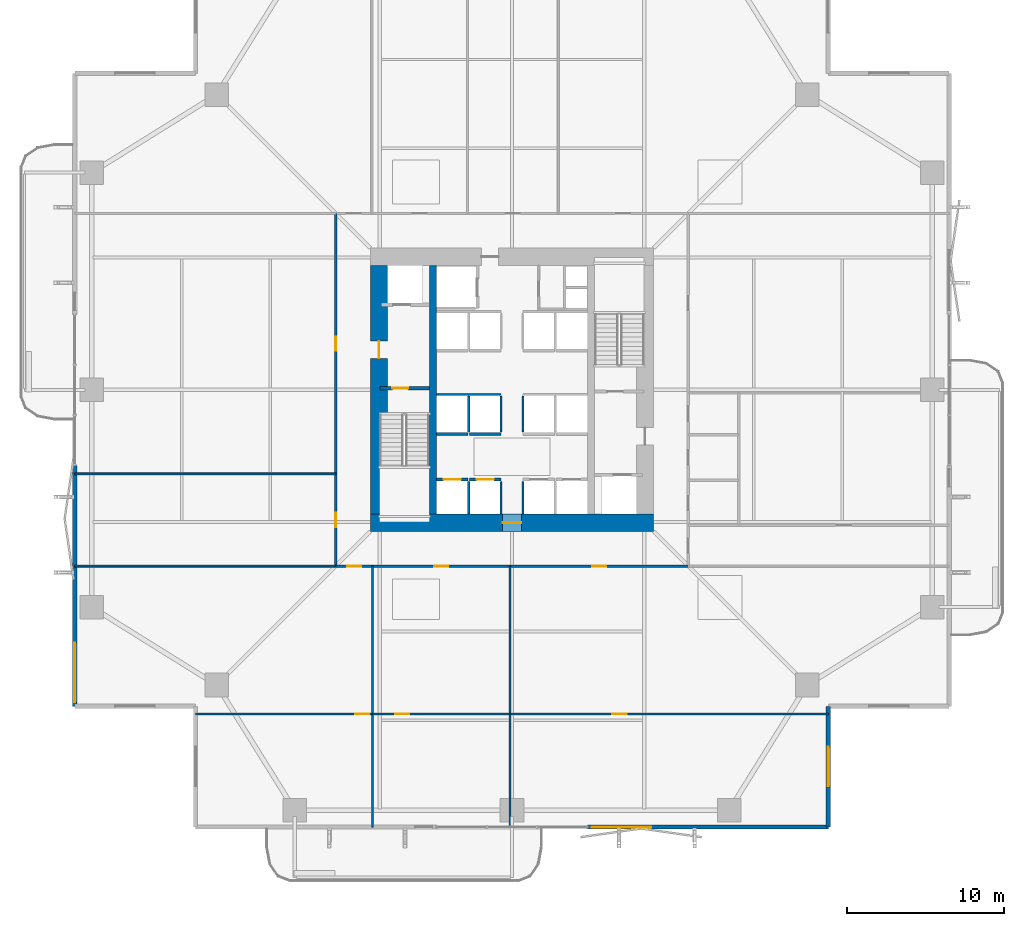
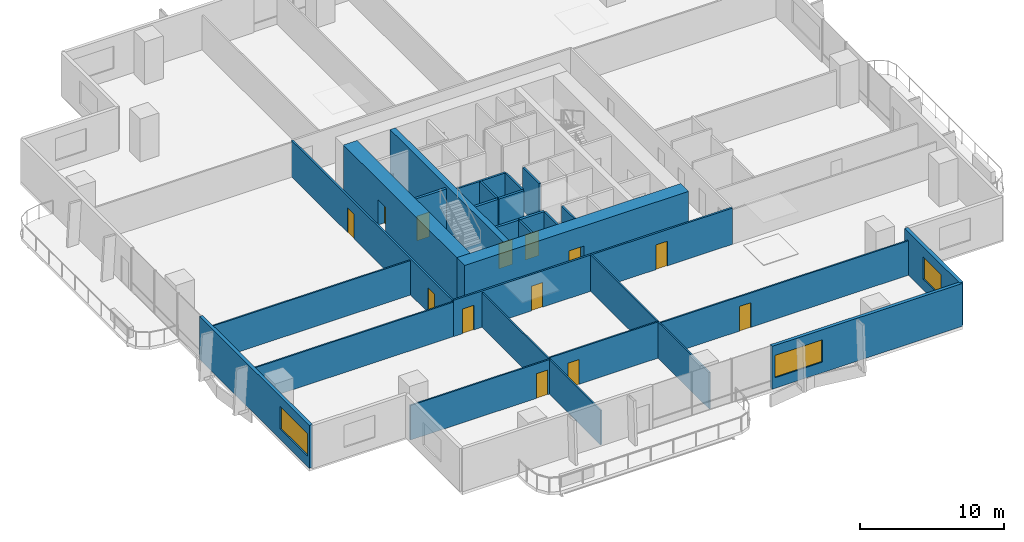
# One storey, part 17 of 23: 27 walls, 13 doors, 3 windows, 16 openings.
"""IFC4 building model written with IfcOpenShell, lengths in metres."""

from ifc_helpers import new_model, si_unit, direction, frame, frame_2d, origin, place, context, subcontext, project, spatial, rectangle, extrude, material, layer, layer_set, type_object, element, fill, save


model = new_model("IFC4")

# Units and contexts
model_context = context("Model", 3, precision=1e-05, world=origin(), true_north=direction((0.0, 1.0)))
body_context = subcontext(model_context, "Body", "Model", "MODEL_VIEW")
ifc_project = project(units=[si_unit("LENGTHUNIT", "METRE"), si_unit("AREAUNIT", "SQUARE_METRE"), si_unit("VOLUMEUNIT", "CUBIC_METRE"), si_unit("PLANEANGLEUNIT", "RADIAN"), si_unit("MASSUNIT", "GRAM", prefix="KILO")], contexts=[model_context])

# Site, building, storey
site_placement = place(None, origin())
site = spatial("IfcSite", under=ifc_project, at=site_placement, CompositionType="ELEMENT")
building_placement = place(site_placement, origin())
building = spatial("IfcBuilding", under=site, at=building_placement, Name="Belovzor Exchange Tower", CompositionType="ELEMENT")
storey_placement = place(building_placement, frame((0.0, 0.0, 88.5)))
storey = spatial("IfcBuildingStorey", under=building, at=storey_placement, Name="L21", CompositionType="ELEMENT", Elevation=88.5)

# Wall, opening, door
ifc_material_1 = material(Name="Acoustic Plasterboard on Galvanised Studs", Category="gypsum")
ifc_layer_1 = layer(ifc_material_1, 0.1201171875)
ifc_layer_set_1 = layer_set([ifc_layer_1], Name="Acoustic Plasterboard on Galvanised Studs")
wall_type_1 = type_object("IfcWallType", Name="Acoustic Double-Stud Partition Wall 120", PredefinedType="PARTITIONING", material=ifc_layer_set_1)
wall_1_placement = place(storey_placement, frame((8.699951171875, 8.2119140625, 0.0), z_axis=(0.0, 0.0, 1.0), x_axis=(1.0, 0.0, 0.0)))
wall_1 = element("IfcWall", 1, at=wall_1_placement, inside=storey, type_object=wall_type_1, Name="W-P120 Partition Wall W-L21-SHDIV-0", PredefinedType="PARTITIONING", context=body_context, shape_type="SweptSolid", body=[
    extrude(rectangle(XDim=11.239013671875, YDim=0.1201171875, at=frame_2d((5.61962890625, 0.0))), origin(), (0.0, 0.0, 1.0), 2.93505859375),
])
opening_1_placement = place(wall_1_placement, frame((10.138916015625, 0.0, 0.0)))
opening_1 = element("IfcOpeningElement", 2, at=opening_1_placement, cuts=wall_1, Name="Opening D-INT-090", PredefinedType="OPENING", context=body_context, shape_type="SweptSolid", body=[
    extrude(rectangle(XDim=0.89990234375, YDim=2.10009765625, at=frame_2d((0.449951171875, 1.050048828125))), frame((0.0, 0.070068359375, 0.0), z_axis=(0.0, -1.0, 0.0), x_axis=(1.0, 0.0, 0.0)), (0.0, 0.0, 1.0), 0.14013671875),
])
ifc_material_2 = material(Name="Veneered Hardwood Acoustic Leaf", Category="wood")
door_type_1 = type_object("IfcDoorType", Name="Trading Suite Acoustic Single Door 900x2100", OperationType="NOTDEFINED", PredefinedType="DOOR", material=ifc_material_2)
door_1_placement = place(opening_1_placement, origin())
door_1 = element("IfcDoor", 3, at=door_1_placement, inside=storey, type_object=door_type_1, Name="D-INT-090 Trading Suite Acoustic Single Door 900x2100", OperationType="SINGLE_SWING_LEFT", OverallHeight=2.10009765625, OverallWidth=0.89990234375, PredefinedType="DOOR", context=body_context, shape_type="SweptSolid", body=[
    extrude(rectangle(XDim=0.89990234375, YDim=2.10009765625, at=frame_2d((0.449951171875, 1.050048828125))), frame((0.0, 0.02490234375, 0.0), z_axis=(0.0, -1.0, 0.0), x_axis=(1.0, 0.0, 0.0)), (0.0, 0.0, 1.0), 0.050048828125),
])
fill(opening_1, door_1)

# Wall
wall_2_placement = place(storey_placement, frame((19.93896484375, 1.030029296875, 0.0), z_axis=(0.0, 0.0, 1.0), x_axis=(0.0, 1.0, 0.0)))
element("IfcWall", 4, at=wall_2_placement, inside=storey, type_object=wall_type_1, Name="W-P120 Partition Wall W-L21-SDIV-1", PredefinedType="PARTITIONING", context=body_context, shape_type="SweptSolid", body=[
    extrude(rectangle(XDim=16.570068359375, YDim=0.1201171875, at=frame_2d((8.28515625, 0.0))), origin(), (0.0, 0.0, 1.0), 2.93505859375),
])

# Wall, opening, door
wall_3_placement = place(storey_placement, frame((19.93896484375, 8.2119140625, 0.0), z_axis=(0.0, 0.0, 1.0), x_axis=(1.0, 0.0, 0.0)))
wall_3 = element("IfcWall", 5, at=wall_3_placement, inside=storey, type_object=wall_type_1, Name="W-P120 Partition Wall W-L21-SHDIV-1", PredefinedType="PARTITIONING", context=body_context, shape_type="SweptSolid", body=[
    extrude(rectangle(XDim=8.73095703125, YDim=0.1201171875, at=frame_2d((4.365478515625, 0.0))), origin(), (0.0, 0.0, 1.0), 3.0849609375),
])
opening_2_placement = place(wall_3_placement, frame((1.43896484375, 0.0, 0.0)))
opening_2 = element("IfcOpeningElement", 6, at=opening_2_placement, cuts=wall_3, Name="Opening D-INT-090", PredefinedType="OPENING", context=body_context, shape_type="SweptSolid", body=[
    extrude(rectangle(XDim=0.89990234375, YDim=2.10009765625, at=frame_2d((0.449951171875, 1.050048828125))), frame((0.0, 0.070068359375, 0.0), z_axis=(0.0, -1.0, 0.0), x_axis=(1.0, 0.0, 0.0)), (0.0, 0.0, 1.0), 0.14013671875),
])
door_2_placement = place(opening_2_placement, origin())
door_2 = element("IfcDoor", 7, at=door_2_placement, inside=storey, type_object=door_type_1, Name="D-INT-090 Trading Suite Acoustic Single Door 900x2100", OperationType="SINGLE_SWING_LEFT", OverallHeight=2.10009765625, OverallWidth=0.89990234375, PredefinedType="DOOR", context=body_context, shape_type="SweptSolid", body=[
    extrude(rectangle(XDim=0.89990234375, YDim=2.10009765625, at=frame_2d((0.449951171875, 1.050048828125))), frame((0.0, 0.02490234375, 0.0), z_axis=(0.0, -1.0, 0.0), x_axis=(1.0, 0.0, 0.0)), (0.0, 0.0, 1.0), 0.050048828125),
])
fill(opening_2, door_2)

# Wall
wall_4_placement = place(storey_placement, frame((28.669921875, 1.030029296875, 0.0), z_axis=(0.0, 0.0, 1.0), x_axis=(0.0, 1.0, 0.0)))
element("IfcWall", 8, at=wall_4_placement, inside=storey, type_object=wall_type_1, Name="W-P120 Partition Wall W-L21-SDIV-2", PredefinedType="PARTITIONING", context=body_context, shape_type="SweptSolid", body=[
    extrude(rectangle(XDim=16.570068359375, YDim=0.1201171875, at=frame_2d((8.28515625, 0.0))), origin(), (0.0, 0.0, 1.0), 3.0849609375),
])

# Wall, opening, door
wall_5_placement = place(storey_placement, frame((28.669921875, 8.2119140625, 0.0), z_axis=(0.0, 0.0, 1.0), x_axis=(1.0, 0.0, 0.0)))
wall_5 = element("IfcWall", 9, at=wall_5_placement, inside=storey, type_object=wall_type_1, Name="W-P120 Partition Wall W-L21-SHDIV-2", PredefinedType="PARTITIONING", context=body_context, shape_type="SweptSolid", body=[
    extrude(rectangle(XDim=20.22998046875, YDim=0.1201171875, at=frame_2d((10.114990234375, 0.0))), origin(), (0.0, 0.0, 1.0), 2.93505859375),
])
opening_3_placement = place(wall_5_placement, frame((6.510009765625, 0.0, 0.0)))
opening_3 = element("IfcOpeningElement", 10, at=opening_3_placement, cuts=wall_5, Name="Opening D-INT-090", PredefinedType="OPENING", context=body_context, shape_type="SweptSolid", body=[
    extrude(rectangle(XDim=0.89990234375, YDim=2.10009765625, at=frame_2d((0.449951171875, 1.050048828125))), frame((0.0, 0.070068359375, 0.0), z_axis=(0.0, -1.0, 0.0), x_axis=(1.0, 0.0, 0.0)), (0.0, 0.0, 1.0), 0.14013671875),
])
door_3_placement = place(opening_3_placement, origin())
door_3 = element("IfcDoor", 11, at=door_3_placement, inside=storey, type_object=door_type_1, Name="D-INT-090 Trading Suite Acoustic Single Door 900x2100", OperationType="SINGLE_SWING_LEFT", OverallHeight=2.10009765625, OverallWidth=0.89990234375, PredefinedType="DOOR", context=body_context, shape_type="SweptSolid", body=[
    extrude(rectangle(XDim=0.89990234375, YDim=2.10009765625, at=frame_2d((0.449951171875, 1.050048828125))), frame((0.0, 0.02490234375, 0.0), z_axis=(0.0, -1.0, 0.0), x_axis=(1.0, 0.0, 0.0)), (0.0, 0.0, 1.0), 0.050048828125),
])
fill(opening_3, door_3)

# Walls
for number, where, z_axis, x_axis, name in (
    (12, (1.030029296875, 17.60009765625, 0.0), (0.0, 0.0, 1.0), (1.0, 0.0, 0.0), "W-P120 Partition Wall W-L21-END-SW"),
    (13, (1.030029296875, 23.4599609375, 0.0), (0.0, 0.0, 1.0), (1.0, 0.0, 0.0), "W-P120 Partition Wall W-L21-WDIV-1"),
):
    element("IfcWall", number, at=place(storey_placement, frame(where, z_axis=z_axis, x_axis=x_axis)), inside=storey, type_object=wall_type_1, Name=name, PredefinedType="PARTITIONING", context=body_context, shape_type="SweptSolid", body=[
        extrude(rectangle(XDim=16.570068359375, YDim=0.1201171875, at=frame_2d((8.28515625, 0.0))), origin(), (0.0, 0.0, 1.0), 2.93505859375),
    ])

# Wall, openings, doors
ifc_material_3 = material(Name="Fire-Rated Gypsum Block and Mineral Wool", Category="gypsum")
ifc_layer_2 = layer(ifc_material_3, 0.14990234375)
ifc_layer_set_2 = layer_set([ifc_layer_2], Name="Fire-Rated Gypsum Block and Mineral Wool")
wall_type_2 = type_object("IfcWallType", Name="Fire-Rated Gypsum Block Corridor Wall 150", PredefinedType="PARTITIONING", material=ifc_layer_set_2)
wall_6_placement = place(storey_placement, frame((17.60009765625, 17.60009765625, 0.0), z_axis=(0.0, 0.0, 1.0), x_axis=(1.0, 0.0, 0.0)))
wall_6 = element("IfcWall", 14, at=wall_6_placement, inside=storey, type_object=wall_type_2, Name="W-P150 Partition Wall W-L21-CS", PredefinedType="PARTITIONING", context=body_context, shape_type="SweptSolid", body=[
    extrude(rectangle(XDim=22.39990234375, YDim=0.14990234375, at=frame_2d((11.199951171875, 0.0))), origin(), (0.0, 0.0, 1.0), 3.0849609375),
])
opening_4_placement = place(wall_6_placement, frame((0.719970703125, 0.0, 0.0)))
opening_4 = element("IfcOpeningElement", 15, at=opening_4_placement, cuts=wall_6, Name="Opening D-INT-090", PredefinedType="OPENING", context=body_context, shape_type="SweptSolid", body=[
    extrude(rectangle(XDim=0.89990234375, YDim=2.10009765625, at=frame_2d((0.449951171875, 1.050048828125))), frame((0.0, 0.0849609375, 0.0), z_axis=(0.0, -1.0, 0.0), x_axis=(1.0, 0.0, 0.0)), (0.0, 0.0, 1.0), 0.169921875),
])
opening_5_placement = place(wall_6_placement, frame((6.2548828125, 0.0, 0.0)))
opening_5 = element("IfcOpeningElement", 16, at=opening_5_placement, cuts=wall_6, Name="Opening D-INT-090", PredefinedType="OPENING", context=body_context, shape_type="SweptSolid", body=[
    extrude(rectangle(XDim=0.89990234375, YDim=2.10009765625, at=frame_2d((0.449951171875, 1.050048828125))), frame((0.0, 0.0849609375, 0.0), z_axis=(0.0, -1.0, 0.0), x_axis=(1.0, 0.0, 0.0)), (0.0, 0.0, 1.0), 0.169921875),
])
opening_6_placement = place(wall_6_placement, frame((16.284912109375, 0.0, 0.0)))
opening_6 = element("IfcOpeningElement", 17, at=opening_6_placement, cuts=wall_6, Name="Opening D-INT-090", PredefinedType="OPENING", context=body_context, shape_type="SweptSolid", body=[
    extrude(rectangle(XDim=0.89990234375, YDim=2.10009765625, at=frame_2d((0.449951171875, 1.050048828125))), frame((0.0, 0.0849609375, 0.0), z_axis=(0.0, -1.0, 0.0), x_axis=(1.0, 0.0, 0.0)), (0.0, 0.0, 1.0), 0.169921875),
])
door_4_placement = place(opening_4_placement, origin())
door_4 = element("IfcDoor", 18, at=door_4_placement, inside=storey, type_object=door_type_1, Name="D-INT-090 Trading Suite Acoustic Single Door 900x2100", OperationType="SINGLE_SWING_RIGHT", OverallHeight=2.10009765625, OverallWidth=0.89990234375, PredefinedType="DOOR", context=body_context, shape_type="SweptSolid", body=[
    extrude(rectangle(XDim=0.89990234375, YDim=2.10009765625, at=frame_2d((0.449951171875, 1.050048828125))), frame((0.0, 0.02490234375, 0.0), z_axis=(0.0, -1.0, 0.0), x_axis=(1.0, 0.0, 0.0)), (0.0, 0.0, 1.0), 0.050048828125),
])
fill(opening_4, door_4)
door_5_placement = place(opening_5_placement, origin())
door_5 = element("IfcDoor", 19, at=door_5_placement, inside=storey, type_object=door_type_1, Name="D-INT-090 Trading Suite Acoustic Single Door 900x2100", OperationType="SINGLE_SWING_LEFT", OverallHeight=2.10009765625, OverallWidth=0.89990234375, PredefinedType="DOOR", context=body_context, shape_type="SweptSolid", body=[
    extrude(rectangle(XDim=0.89990234375, YDim=2.10009765625, at=frame_2d((0.449951171875, 1.050048828125))), frame((0.0, 0.02490234375, 0.0), z_axis=(0.0, -1.0, 0.0), x_axis=(1.0, 0.0, 0.0)), (0.0, 0.0, 1.0), 0.050048828125),
])
fill(opening_5, door_5)
door_6_placement = place(opening_6_placement, origin())
door_6 = element("IfcDoor", 20, at=door_6_placement, inside=storey, type_object=door_type_1, Name="D-INT-090 Trading Suite Acoustic Single Door 900x2100", OperationType="SINGLE_SWING_RIGHT", OverallHeight=2.10009765625, OverallWidth=0.89990234375, PredefinedType="DOOR", context=body_context, shape_type="SweptSolid", body=[
    extrude(rectangle(XDim=0.89990234375, YDim=2.10009765625, at=frame_2d((0.449951171875, 1.050048828125))), frame((0.0, 0.02490234375, 0.0), z_axis=(0.0, -1.0, 0.0), x_axis=(1.0, 0.0, 0.0)), (0.0, 0.0, 1.0), 0.050048828125),
])
fill(opening_6, door_6)

wall_7_placement = place(storey_placement, frame((17.60009765625, 17.60009765625, 0.0), z_axis=(0.0, 0.0, 1.0), x_axis=(0.0, 1.0, 0.0)))
wall_7 = element("IfcWall", 21, at=wall_7_placement, inside=storey, type_object=wall_type_2, Name="W-P150 Partition Wall W-L21-CW", PredefinedType="PARTITIONING", context=body_context, shape_type="SweptSolid", body=[
    extrude(rectangle(XDim=22.39990234375, YDim=0.14990234375, at=frame_2d((11.199951171875, 0.0))), origin(), (0.0, 0.0, 1.0), 3.0849609375),
])
opening_7_placement = place(wall_7_placement, frame((2.47998046875, 0.0, 0.0)))
opening_7 = element("IfcOpeningElement", 22, at=opening_7_placement, cuts=wall_7, Name="Opening D-INT-090", PredefinedType="OPENING", context=body_context, shape_type="SweptSolid", body=[
    extrude(rectangle(XDim=0.89990234375, YDim=2.10009765625, at=frame_2d((0.449951171875, 1.050048828125))), frame((0.0, 0.0849609375, 0.0), z_axis=(0.0, -1.0, 0.0), x_axis=(1.0, 0.0, 0.0)), (0.0, 0.0, 1.0), 0.169921875),
])
opening_8_placement = place(wall_7_placement, frame((13.679931640625, 0.0, 0.0)))
opening_8 = element("IfcOpeningElement", 23, at=opening_8_placement, cuts=wall_7, Name="Opening D-INT-090", PredefinedType="OPENING", context=body_context, shape_type="SweptSolid", body=[
    extrude(rectangle(XDim=0.89990234375, YDim=2.10009765625, at=frame_2d((0.449951171875, 1.050048828125))), frame((0.0, 0.0849609375, 0.0), z_axis=(0.0, -1.0, 0.0), x_axis=(1.0, 0.0, 0.0)), (0.0, 0.0, 1.0), 0.169921875),
])
door_7_placement = place(opening_7_placement, origin())
door_7 = element("IfcDoor", 24, at=door_7_placement, inside=storey, type_object=door_type_1, Name="D-INT-090 Trading Suite Acoustic Single Door 900x2100", OperationType="SINGLE_SWING_RIGHT", OverallHeight=2.10009765625, OverallWidth=0.89990234375, PredefinedType="DOOR", context=body_context, shape_type="SweptSolid", body=[
    extrude(rectangle(XDim=0.89990234375, YDim=2.10009765625, at=frame_2d((0.449951171875, 1.050048828125))), frame((0.0, 0.02490234375, 0.0), z_axis=(0.0, -1.0, 0.0), x_axis=(1.0, 0.0, 0.0)), (0.0, 0.0, 1.0), 0.050048828125),
])
fill(opening_7, door_7)
door_8_placement = place(opening_8_placement, origin())
door_8 = element("IfcDoor", 25, at=door_8_placement, inside=storey, type_object=door_type_1, Name="D-INT-090 Trading Suite Acoustic Single Door 900x2100", OperationType="SINGLE_SWING_LEFT", OverallHeight=2.10009765625, OverallWidth=0.89990234375, PredefinedType="DOOR", context=body_context, shape_type="SweptSolid", body=[
    extrude(rectangle(XDim=0.89990234375, YDim=2.10009765625, at=frame_2d((0.449951171875, 1.050048828125))), frame((0.0, 0.02490234375, 0.0), z_axis=(0.0, -1.0, 0.0), x_axis=(1.0, 0.0, 0.0)), (0.0, 0.0, 1.0), 0.050048828125),
])
fill(opening_8, door_8)

# Wall, opening, window
ifc_material_4 = material(Name="Precast concrete C40/50", Category="concrete")
ifc_layer_3 = layer(ifc_material_4, 0.280029296875)
ifc_layer_set_3 = layer_set([ifc_layer_3], Name="Precast concrete C40/50")
wall_type_3 = type_object("IfcWallType", Name="Precast Concrete Notched Corner Frame Wall 280", PredefinedType="SOLIDWALL", material=ifc_layer_set_3)
wall_8_placement = place(storey_placement, frame((48.89990234375, 8.699951171875, 0.0), z_axis=(0.0, 0.0, 1.0), x_axis=(0.0, -1.0, 0.0)))
wall_8 = element("IfcWall", 26, at=wall_8_placement, inside=storey, type_object=wall_type_3, Name="W-CRN280 Precast Concrete Notched Corner Frame Wall 280 L21", PredefinedType="SOLIDWALL", context=body_context, shape_type="SweptSolid", body=[
    extrude(rectangle(XDim=7.669921875, YDim=0.280029296875, at=frame_2d((3.8349609375, 0.0))), origin(), (0.0, 0.0, 1.0), 3.64990234375),
])
opening_9_placement = place(wall_8_placement, frame((2.5849609375, 0.0, 0.89990234375)))
opening_9 = element("IfcOpeningElement", 27, at=opening_9_placement, cuts=wall_8, Name="Opening WN-CRN250", PredefinedType="OPENING", context=body_context, shape_type="SweptSolid", body=[
    extrude(rectangle(XDim=2.5, YDim=1.89990234375, at=frame_2d((1.25, 0.949951171875))), frame((0.0, 0.14990234375, 0.0), z_axis=(0.0, -1.0, 0.0), x_axis=(1.0, 0.0, 0.0)), (0.0, 0.0, 1.0), 0.300048828125),
])
ifc_material_5 = material(Name="Thermally Broken Aluminium and Triple Glazing", Category="aluminium")
window_type_1 = type_object("IfcWindowType", Name="Streamline Moderne Corner Wrap Ribbon Window 2500x1900", PartitioningType="SINGLE_PANEL", PredefinedType="WINDOW", material=ifc_material_5)
window_1_placement = place(opening_9_placement, origin())
window_1 = element("IfcWindow", 28, at=window_1_placement, inside=storey, type_object=window_type_1, Name="WN-CRN250 Streamline Moderne Corner Wrap Ribbon Window 2500x1900", OverallHeight=1.89990234375, OverallWidth=2.5, PartitioningType="SINGLE_PANEL", PredefinedType="WINDOW", context=body_context, shape_type="SweptSolid", body=[
    extrude(rectangle(XDim=2.5, YDim=1.89990234375, at=frame_2d((1.25, 0.949951171875))), frame((0.0, 0.030029296875, 0.0), z_axis=(0.0, -1.0, 0.0), x_axis=(1.0, 0.0, 0.0)), (0.0, 0.0, 1.0), 0.06005859375),
])
fill(opening_9, window_1)

ifc_material_6 = material(Name="Precast concrete C40/50", Category="concrete")
ifc_layer_4 = layer(ifc_material_6, 0.260009765625)
ifc_layer_set_4 = layer_set([ifc_layer_4], Name="Precast concrete C40/50")
wall_type_4 = type_object("IfcWallType", Name="Precast Concrete Perimeter Loggia Frame Wall 260", PredefinedType="SOLIDWALL", material=ifc_layer_set_4)
wall_9_placement = place(storey_placement, frame((48.89990234375, 1.030029296875, 0.0), z_axis=(0.0, 0.0, 1.0), x_axis=(-1.0, 0.0, 0.0)))
wall_9 = element("IfcWall", 29, at=wall_9_placement, inside=storey, type_object=wall_type_4, Name="W-EXT260 Precast Concrete Perimeter Loggia Frame Wall 260 L21", PredefinedType="SOLIDWALL", context=body_context, shape_type="SweptSolid", body=[
    extrude(rectangle(XDim=15.2998046875, YDim=0.260009765625, at=frame_2d((7.64990234375, 0.0))), origin(), (0.0, 0.0, 1.0), 3.64990234375),
])
opening_10_placement = place(wall_9_placement, frame((11.25, 0.0, 0.89990234375)))
opening_10 = element("IfcOpeningElement", 30, at=opening_10_placement, cuts=wall_9, Name="Opening WN-RIB380", PredefinedType="OPENING", context=body_context, shape_type="SweptSolid", body=[
    extrude(rectangle(XDim=3.800048828125, YDim=1.89990234375, at=frame_2d((1.89990234375, 0.949951171875))), frame((0.0, 0.139892578125, 0.0), z_axis=(0.0, -1.0, 0.0), x_axis=(1.0, 0.0, 0.0)), (0.0, 0.0, 1.0), 0.280029296875),
])
ifc_material_7 = material(Name="Thermally Broken Aluminium and Triple Glazing", Category="aluminium")
window_type_2 = type_object("IfcWindowType", Name="Streamline Moderne Horizontal Ribbon Window 3800x1900", PartitioningType="SINGLE_PANEL", PredefinedType="WINDOW", material=ifc_material_7)
window_2_placement = place(opening_10_placement, origin())
window_2 = element("IfcWindow", 31, at=window_2_placement, inside=storey, type_object=window_type_2, Name="WN-RIB380 Streamline Moderne Horizontal Ribbon Window 3800x1900", OverallHeight=1.89990234375, OverallWidth=3.800048828125, PartitioningType="SINGLE_PANEL", PredefinedType="WINDOW", context=body_context, shape_type="SweptSolid", body=[
    extrude(rectangle(XDim=3.800048828125, YDim=1.89990234375, at=frame_2d((1.89990234375, 0.949951171875))), frame((0.0, 0.030029296875, 0.0), z_axis=(0.0, -1.0, 0.0), x_axis=(1.0, 0.0, 0.0)), (0.0, 0.0, 1.0), 0.06005859375),
])
fill(opening_10, window_2)

wall_10_placement = place(storey_placement, frame((1.030029296875, 8.699951171875, 0.0), z_axis=(0.0, 0.0, 1.0), x_axis=(0.0, 1.0, 0.0)))
wall_10 = element("IfcWall", 32, at=wall_10_placement, inside=storey, type_object=wall_type_4, Name="W-EXT260 Precast Concrete Perimeter Loggia Frame Wall 260 L21", PredefinedType="SOLIDWALL", context=body_context, shape_type="SweptSolid", body=[
    extrude(rectangle(XDim=15.300048828125, YDim=0.260009765625, at=frame_2d((7.64990234375, 0.0))), origin(), (0.0, 0.0, 1.0), 3.64990234375),
])
opening_11_placement = place(wall_10_placement, frame((0.25, 0.0, 0.89990234375)))
opening_11 = element("IfcOpeningElement", 33, at=opening_11_placement, cuts=wall_10, Name="Opening WN-RIB380", PredefinedType="OPENING", context=body_context, shape_type="SweptSolid", body=[
    extrude(rectangle(XDim=3.800048828125, YDim=1.89990234375, at=frame_2d((1.89990234375, 0.949951171875))), frame((0.0, 0.139892578125, 0.0), z_axis=(0.0, -1.0, 0.0), x_axis=(1.0, 0.0, 0.0)), (0.0, 0.0, 1.0), 0.280029296875),
])
window_3_placement = place(opening_11_placement, origin())
window_3 = element("IfcWindow", 34, at=window_3_placement, inside=storey, type_object=window_type_2, Name="WN-RIB380 Streamline Moderne Horizontal Ribbon Window 3800x1900", OverallHeight=1.89990234375, OverallWidth=3.800048828125, PartitioningType="SINGLE_PANEL", PredefinedType="WINDOW", context=body_context, shape_type="SweptSolid", body=[
    extrude(rectangle(XDim=3.800048828125, YDim=1.89990234375, at=frame_2d((1.89990234375, 0.949951171875))), frame((0.0, 0.030029296875, 0.0), z_axis=(0.0, -1.0, 0.0), x_axis=(1.0, 0.0, 0.0)), (0.0, 0.0, 1.0), 0.06005859375),
])
fill(opening_11, window_3)

# Walls
ifc_material_8 = material(Name="Concrete C50/60", Category="concrete")
ifc_layer_5 = layer(ifc_material_8, 0.449951171875)
ifc_layer_set_5 = layer_set([ifc_layer_5], Name="Concrete C50/60")
wall_type_5 = type_object("IfcWallType", Name="Reinforced Concrete Core Internal Web Wall 450", PredefinedType="SHEAR", material=ifc_layer_set_5)
wall_11_placement = place(storey_placement, frame((23.77490234375, 20.89990234375, 0.0), z_axis=(0.0, 0.0, 1.0), x_axis=(0.0, 1.0, 0.0)))
element("IfcWall", 35, at=wall_11_placement, inside=storey, type_object=wall_type_5, Name="CW-W045 Core Internal Web Wall L21 WL", PredefinedType="SHEAR", context=body_context, shape_type="SweptSolid", body=[
    extrude(rectangle(XDim=15.800048828125, YDim=0.449951171875, at=frame_2d((7.89990234375, 0.0))), origin(), (0.0, 0.0, 1.0), 3.89990234375),
])
ifc_material_9 = material(Name="Concrete C50/60", Category="concrete")
ifc_layer_6 = layer(ifc_material_9, 0.14990234375)
ifc_layer_set_6 = layer_set([ifc_layer_6], Name="Concrete C50/60")
wall_type_6 = type_object("IfcWallType", Name="Reinforced Concrete Core Riser Shear Wall 150", PredefinedType="SHEAR", material=ifc_layer_set_6)
for number, where, z_axis, x_axis, name in (
    (36, (26.050048828125, 20.919921875, 0.0), (0.0, 0.0, 1.0), (0.0, 1.0, 0.0), "W-C150S Core Shaft Wall W-SHD-L21-PLL-1"),
    (37, (28.10009765625, 20.919921875, 0.0), (0.0, 0.0, 1.0), (0.0, 1.0, 0.0), "W-C150S Core Shaft Wall W-SHD-L21-PLL-2"),
    (38, (29.5, 20.919921875, 0.0), (0.0, 0.0, 1.0), (0.0, 1.0, 0.0), "W-C150S Core Shaft Wall W-SHD-L21-PLL-3"),
):
    element("IfcWall", number, at=place(storey_placement, frame(where, z_axis=z_axis, x_axis=x_axis)), inside=storey, type_object=wall_type_6, Name=name, PredefinedType="SHEAR", context=body_context, shape_type="SweptSolid", body=[
        extrude(rectangle(XDim=2.06005859375, YDim=0.14990234375, at=frame_2d((1.030029296875, 0.0))), origin(), (0.0, 0.0, 1.0), 3.64990234375),
    ])
wall_12_placement = place(storey_placement, frame((24.02001953125, 28.5, 0.0), z_axis=(0.0, 0.0, 1.0), x_axis=(1.0, 0.0, 0.0)))
element("IfcWall", 39, at=wall_12_placement, inside=storey, type_object=wall_type_6, Name="W-C150S Core Shaft Wall W-SHB-L21-PLM-NW", PredefinedType="SHEAR", context=body_context, shape_type="SweptSolid", body=[
    extrude(rectangle(XDim=4.080078125, YDim=0.14990234375, at=frame_2d((2.0400390625, 0.0))), origin(), (0.0, 0.0, 1.0), 3.64990234375),
])
for number, where, z_axis, x_axis, name in (
    (40, (26.050048828125, 26.1201171875, 0.0), (0.0, 0.0, 1.0), (0.0, 1.0, 0.0), "W-C150S Core Shaft Wall W-SHD-L21-PLM-1"),
    (41, (28.10009765625, 26.1201171875, 0.0), (0.0, 0.0, 1.0), (0.0, 1.0, 0.0), "W-C150S Core Shaft Wall W-SHD-L21-PLM-2"),
    (42, (29.5, 26.1201171875, 0.0), (0.0, 0.0, 1.0), (0.0, 1.0, 0.0), "W-C150S Core Shaft Wall W-SHD-L21-PLM-3"),
):
    element("IfcWall", number, at=place(storey_placement, frame(where, z_axis=z_axis, x_axis=x_axis)), inside=storey, type_object=wall_type_6, Name=name, PredefinedType="SHEAR", context=body_context, shape_type="SweptSolid", body=[
        extrude(rectangle(XDim=2.27978515625, YDim=0.14990234375, at=frame_2d((1.139892578125, 0.0))), origin(), (0.0, 0.0, 1.0), 3.64990234375),
    ])

# Wall, opening, door
ifc_material_10 = material(Name="Concrete C50/60", Category="concrete")
ifc_layer_7 = layer(ifc_material_10, 0.199951171875)
ifc_layer_set_7 = layer_set([ifc_layer_7], Name="Concrete C50/60")
wall_type_7 = type_object("IfcWallType", Name="Reinforced Concrete Core Shaft Shear Wall 200", PredefinedType="SHEAR", material=ifc_layer_set_7)
wall_13_placement = place(storey_placement, frame((20.39990234375, 28.89990234375, 0.0), z_axis=(0.0, 0.0, 1.0), x_axis=(1.0, 0.0, 0.0)))
wall_13 = element("IfcWall", 43, at=wall_13_placement, inside=storey, type_object=wall_type_7, Name="W-C200S Core Shaft Wall W-CORE-L21-FFLW1", PredefinedType="SHEAR", context=body_context, shape_type="SweptSolid", body=[
    extrude(rectangle(XDim=3.150146484375, YDim=0.199951171875, at=frame_2d((1.5751953125, 0.0))), origin(), (0.0, 0.0, 1.0), 3.64990234375),
])
opening_12_placement = place(wall_13_placement, frame((0.800048828125, 0.0, 0.0)))
opening_12 = element("IfcOpeningElement", 44, at=opening_12_placement, cuts=wall_13, Name="Opening D-FD90-100", PredefinedType="OPENING", context=body_context, shape_type="SweptSolid", body=[
    extrude(rectangle(XDim=1.0, YDim=2.10009765625, at=frame_2d((0.5, 1.050048828125))), frame((0.0, 0.10986328125, 0.0), z_axis=(0.0, -1.0, 0.0), x_axis=(1.0, 0.0, 0.0)), (0.0, 0.0, 1.0), 0.219970703125),
])
ifc_material_11 = material(Name="Fire-Rated Galvanised Steel Leaf", Category="steel")
door_type_2 = type_object("IfcDoorType", Name="Protected Stairwell Single Fire Door 1000x2100", OperationType="NOTDEFINED", PredefinedType="DOOR", material=ifc_material_11)
door_9_placement = place(opening_12_placement, origin())
door_9 = element("IfcDoor", 45, at=door_9_placement, inside=storey, type_object=door_type_2, Name="D-FD90-100 Protected Stairwell Single Fire Door 1000x2100", OperationType="SINGLE_SWING_RIGHT", OverallHeight=2.10009765625, OverallWidth=1.0, PredefinedType="DOOR", context=body_context, shape_type="SweptSolid", body=[
    extrude(rectangle(XDim=1.0, YDim=2.10009765625, at=frame_2d((0.5, 1.050048828125))), frame((0.0, 0.02490234375, 0.0), z_axis=(0.0, -1.0, 0.0), x_axis=(1.0, 0.0, 0.0)), (0.0, 0.0, 1.0), 0.050048828125),
])
fill(opening_12, door_9)

wall_14_placement = place(storey_placement, frame((24.0, 23.10009765625, 0.0), z_axis=(0.0, 0.0, 1.0), x_axis=(1.0, 0.0, 0.0)))
wall_14 = element("IfcWall", 46, at=wall_14_placement, inside=storey, type_object=wall_type_7, Name="W-C200S Core Shaft Wall W-SH-L21-PL-L1", PredefinedType="SHEAR", context=body_context, shape_type="SweptSolid", body=[
    extrude(rectangle(XDim=2.0, YDim=0.199951171875, at=frame_2d((1.0, 0.0))), origin(), (0.0, 0.0, 1.0), 3.64990234375),
])
opening_13_placement = place(wall_14_placement, frame((0.449951171875, 0.0, 0.0)))
opening_13 = element("IfcOpeningElement", 47, at=opening_13_placement, cuts=wall_14, Name="Opening LD-110", PredefinedType="OPENING", context=body_context, shape_type="SweptSolid", body=[
    extrude(rectangle(XDim=1.10009765625, YDim=2.14990234375, at=frame_2d((0.550048828125, 1.074951171875))), frame((0.0, 0.10986328125, 0.0), z_axis=(0.0, -1.0, 0.0), x_axis=(1.0, 0.0, 0.0)), (0.0, 0.0, 1.0), 0.219970703125),
])
ifc_material_12 = material(Name="Stainless Steel Grade 304", Category="steel")
door_type_3 = type_object("IfcDoorType", Name="Automated Stainless Steel Lift Landing Door 1100x2150", OperationType="SLIDING_TO_RIGHT", PredefinedType="DOOR", material=ifc_material_12)
door_10_placement = place(opening_13_placement, origin())
door_10 = element("IfcDoor", 48, at=door_10_placement, inside=storey, type_object=door_type_3, Name="LD-110 Automated Stainless Steel Lift Landing Door 1100x2150", OperationType="SLIDING_TO_RIGHT", OverallHeight=2.14990234375, OverallWidth=1.10009765625, PredefinedType="DOOR", context=body_context, shape_type="SweptSolid", body=[
    extrude(rectangle(XDim=1.10009765625, YDim=2.14990234375, at=frame_2d((0.550048828125, 1.074951171875))), frame((0.0, 0.02490234375, 0.0), z_axis=(0.0, -1.0, 0.0), x_axis=(1.0, 0.0, 0.0)), (0.0, 0.0, 1.0), 0.050048828125),
])
fill(opening_13, door_10)

wall_15_placement = place(storey_placement, frame((26.10009765625, 23.10009765625, 0.0), z_axis=(0.0, 0.0, 1.0), x_axis=(1.0, 0.0, 0.0)))
wall_15 = element("IfcWall", 49, at=wall_15_placement, inside=storey, type_object=wall_type_7, Name="W-C200S Core Shaft Wall W-SH-L21-PL-L2", PredefinedType="SHEAR", context=body_context, shape_type="SweptSolid", body=[
    extrude(rectangle(XDim=2.0, YDim=0.199951171875, at=frame_2d((1.0, 0.0))), origin(), (0.0, 0.0, 1.0), 3.64990234375),
])
opening_14_placement = place(wall_15_placement, frame((0.449951171875, 0.0, 0.0)))
opening_14 = element("IfcOpeningElement", 50, at=opening_14_placement, cuts=wall_15, Name="Opening LD-110", PredefinedType="OPENING", context=body_context, shape_type="SweptSolid", body=[
    extrude(rectangle(XDim=1.10009765625, YDim=2.14990234375, at=frame_2d((0.550048828125, 1.074951171875))), frame((0.0, 0.10986328125, 0.0), z_axis=(0.0, -1.0, 0.0), x_axis=(1.0, 0.0, 0.0)), (0.0, 0.0, 1.0), 0.219970703125),
])
door_11_placement = place(opening_14_placement, origin())
door_11 = element("IfcDoor", 51, at=door_11_placement, inside=storey, type_object=door_type_3, Name="LD-110 Automated Stainless Steel Lift Landing Door 1100x2150", OperationType="SLIDING_TO_RIGHT", OverallHeight=2.14990234375, OverallWidth=1.10009765625, PredefinedType="DOOR", context=body_context, shape_type="SweptSolid", body=[
    extrude(rectangle(XDim=1.10009765625, YDim=2.14990234375, at=frame_2d((0.550048828125, 1.074951171875))), frame((0.0, 0.02490234375, 0.0), z_axis=(0.0, -1.0, 0.0), x_axis=(1.0, 0.0, 0.0)), (0.0, 0.0, 1.0), 0.050048828125),
])
fill(opening_14, door_11)

# Walls
for number, where, z_axis, x_axis, name in (
    (52, (24.0, 26.0, 0.0), (0.0, 0.0, 1.0), (1.0, 0.0, 0.0), "W-C200S Core Shaft Wall W-SH-L21-PL-M1"),
    (53, (26.10009765625, 26.0, 0.0), (0.0, 0.0, 1.0), (1.0, 0.0, 0.0), "W-C200S Core Shaft Wall W-SH-L21-PL-M2"),
):
    element("IfcWall", number, at=place(storey_placement, frame(where, z_axis=z_axis, x_axis=x_axis)), inside=storey, type_object=wall_type_7, Name=name, PredefinedType="SHEAR", context=body_context, shape_type="SweptSolid", body=[
        extrude(rectangle(XDim=2.0, YDim=0.199951171875, at=frame_2d((1.0, 0.0))), origin(), (0.0, 0.0, 1.0), 3.64990234375),
    ])

# Wall, opening, door
ifc_material_13 = material(Name="Concrete C60/75", Category="concrete")
ifc_layer_8 = layer(ifc_material_13, 1.10009765625)
ifc_layer_set_8 = layer_set([ifc_layer_8], Name="Concrete C60/75")
wall_type_8 = type_object("IfcWallType", Name="Reinforced Concrete Core Shear Wall 1100", PredefinedType="SHEAR", material=ifc_layer_set_8)
wall_16_placement = place(storey_placement, frame((19.800048828125, 20.35009765625, 0.0), z_axis=(0.0, 0.0, 1.0), x_axis=(1.0, 0.0, 0.0)))
wall_16 = element("IfcWall", 54, at=wall_16_placement, inside=storey, type_object=wall_type_8, Name="CW-S110 Core Shear Wall L21 S", PredefinedType="SHEAR", context=body_context, shape_type="SweptSolid", body=[
    extrude(rectangle(XDim=18.0, YDim=1.10009765625, at=frame_2d((9.0, 0.0))), origin(), (0.0, 0.0, 1.0), 3.89990234375),
])
opening_15_placement = place(wall_16_placement, frame((8.39990234375, 0.0, 0.0)))
opening_15 = element("IfcOpeningElement", 55, at=opening_15_placement, cuts=wall_16, Name="Opening D-FD90-120", PredefinedType="OPENING", context=body_context, shape_type="SweptSolid", body=[
    extrude(rectangle(XDim=1.199951171875, YDim=2.199951171875, at=frame_2d((0.60009765625, 1.10009765625))), frame((0.0, 0.56005859375, 0.0), z_axis=(0.0, -1.0, 0.0), x_axis=(1.0, 0.0, 0.0)), (0.0, 0.0, 1.0), 1.1201171875),
])
ifc_material_14 = material(Name="Fire-Rated Galvanised Steel Leaf", Category="steel")
door_type_4 = type_object("IfcDoorType", Name="Heavy Plant & Foyer Fire Door 1200x2200", OperationType="NOTDEFINED", PredefinedType="DOOR", material=ifc_material_14)
door_12_placement = place(opening_15_placement, origin())
door_12 = element("IfcDoor", 56, at=door_12_placement, inside=storey, type_object=door_type_4, Name="D-FD90-120 Heavy Plant & Foyer Fire Door 1200x2200", OperationType="SINGLE_SWING_LEFT", OverallHeight=2.199951171875, OverallWidth=1.199951171875, PredefinedType="DOOR", context=body_context, shape_type="SweptSolid", body=[
    extrude(rectangle(XDim=1.199951171875, YDim=2.199951171875, at=frame_2d((0.60009765625, 1.10009765625))), frame((0.0, 0.02490234375, 0.0), z_axis=(0.0, -1.0, 0.0), x_axis=(1.0, 0.0, 0.0)), (0.0, 0.0, 1.0), 0.050048828125),
])
fill(opening_15, door_12)

wall_17_placement = place(storey_placement, frame((20.35009765625, 20.89990234375, 0.0), z_axis=(0.0, 0.0, 1.0), x_axis=(0.0, 1.0, 0.0)))
wall_17 = element("IfcWall", 57, at=wall_17_placement, inside=storey, type_object=wall_type_8, Name="CW-S110 Core Shear Wall L21 W", PredefinedType="SHEAR", context=body_context, shape_type="SweptSolid", body=[
    extrude(rectangle(XDim=15.800048828125, YDim=1.10009765625, at=frame_2d((7.89990234375, 0.0))), origin(), (0.0, 0.0, 1.0), 3.89990234375),
])
opening_16_placement = place(wall_17_placement, frame((9.89990234375, 0.0, 0.0)))
opening_16 = element("IfcOpeningElement", 58, at=opening_16_placement, cuts=wall_17, Name="Opening D-FD90-110", PredefinedType="OPENING", context=body_context, shape_type="SweptSolid", body=[
    extrude(rectangle(XDim=1.10009765625, YDim=2.14990234375, at=frame_2d((0.550048828125, 1.074951171875))), frame((0.0, 0.56005859375, 0.0), z_axis=(0.0, -1.0, 0.0), x_axis=(1.0, 0.0, 0.0)), (0.0, 0.0, 1.0), 1.1201171875),
])
ifc_material_15 = material(Name="Fire-Rated Galvanised Steel Leaf", Category="steel")
door_type_5 = type_object("IfcDoorType", Name="Protected Escape Vestibule Fire Door 1100x2150", OperationType="NOTDEFINED", PredefinedType="DOOR", material=ifc_material_15)
door_13_placement = place(opening_16_placement, origin())
door_13 = element("IfcDoor", 59, at=door_13_placement, inside=storey, type_object=door_type_5, Name="D-FD90-110 Protected Escape Vestibule Fire Door 1100x2150", OperationType="SINGLE_SWING_LEFT", OverallHeight=2.14990234375, OverallWidth=1.10009765625, PredefinedType="DOOR", context=body_context, shape_type="SweptSolid", body=[
    extrude(rectangle(XDim=1.10009765625, YDim=2.14990234375, at=frame_2d((0.550048828125, 1.074951171875))), frame((0.0, 0.02490234375, 0.0), z_axis=(0.0, -1.0, 0.0), x_axis=(1.0, 0.0, 0.0)), (0.0, 0.0, 1.0), 0.050048828125),
])
fill(opening_16, door_13)

save(model, "model.ifc")
